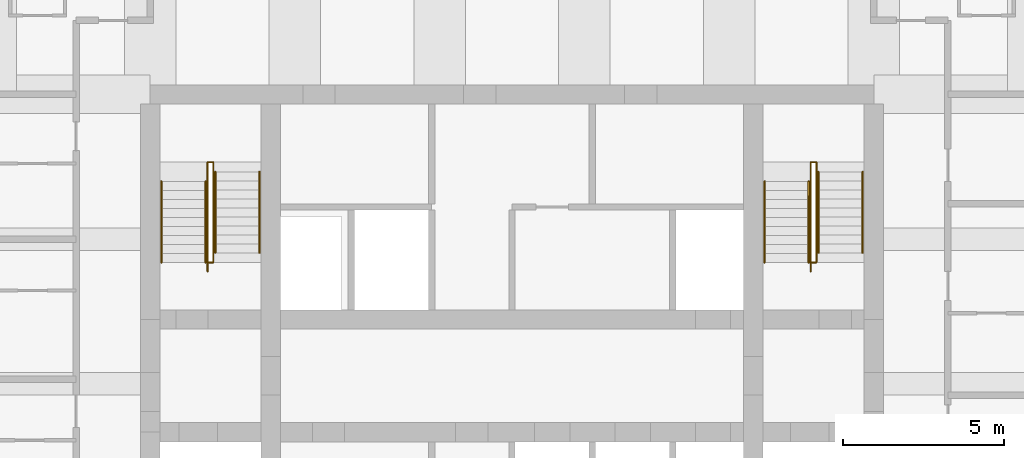
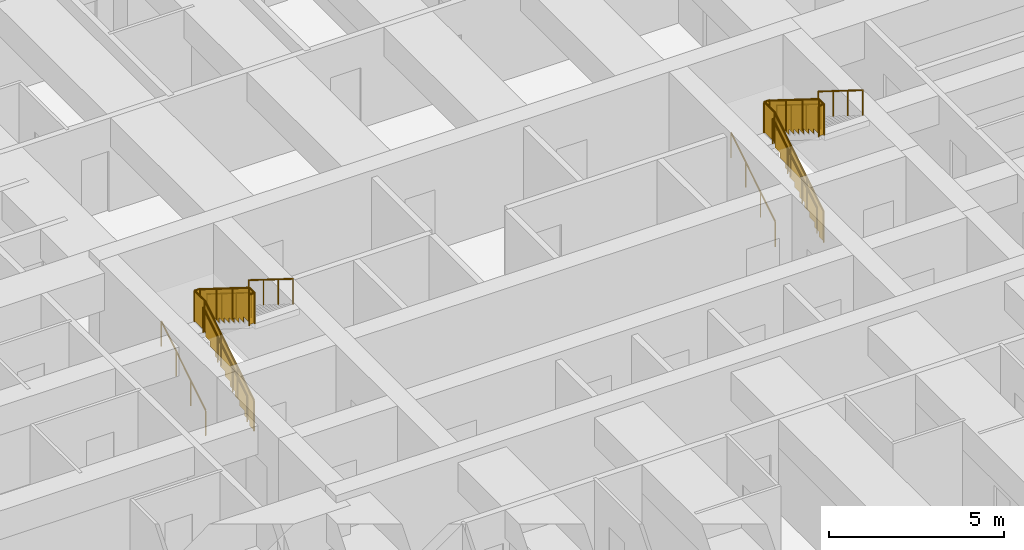
# One storey, part 8 of 8: 12 railings.
"""IFC4 building model written with IfcOpenShell, lengths in metres."""

from ifc_helpers import new_model, si_unit, direction, frame, origin, origin_2d, place, context, subcontext, project, spatial, polyline, circle, outline, extrude, material, type_object, element, save


model = new_model("IFC4")

# Units and contexts
model_context = context("Model", 3, precision=1e-05, world=origin(), true_north=direction((0.0, 1.0)))
body_context = subcontext(model_context, "Body", "Model", "MODEL_VIEW")
ifc_project = project(units=[si_unit("LENGTHUNIT", "METRE"), si_unit("AREAUNIT", "SQUARE_METRE"), si_unit("VOLUMEUNIT", "CUBIC_METRE"), si_unit("PLANEANGLEUNIT", "RADIAN"), si_unit("MASSUNIT", "GRAM", prefix="KILO")], contexts=[model_context])

# Site, building, storey
site_placement = place(None, origin())
site = spatial("IfcSite", under=ifc_project, at=site_placement, CompositionType="ELEMENT")
building_placement = place(site_placement, origin())
building = spatial("IfcBuilding", under=site, at=building_placement, Name="Kilele Tower Hotel", CompositionType="ELEMENT")
storey_placement = place(building_placement, frame((0.0, 0.0, 114.39990234375)))
storey = spatial("IfcBuildingStorey", under=building, at=storey_placement, Name="L29", CompositionType="ELEMENT", Elevation=114.39990234375)

# Railings
ifc_material_1 = material(Name="Steel handrail", Category="steel")
railing_type_1 = type_object("IfcRailingType", Name="Handrail 900", PredefinedType="HANDRAIL", material=ifc_material_1)
for number, where, name in (
    (1, (13.85009765625, 21.77490234375, 0.175048828125), "Handrail ST1 flight 1"),
    (2, (15.22509765625, 21.77490234375, 0.175048828125), "Handrail ST1 flight 1"),
):
    element("IfcRailing", number, at=place(storey_placement, frame(where)), inside=storey, type_object=railing_type_1, Name=name, PredefinedType="HANDRAIL", context=body_context, shape_type="SweptSolid", body=[
        extrude(circle(Radius=0.02490234375, at=origin_2d()), frame((0.0, 0.0, 0.875), z_axis=(0.0, 0.848007534815, 0.529984170421), x_axis=(-1.0, 0.0, 0.0)), (0.0, 0.0, 1.0), 2.9716796875),
        extrude(circle(Radius=0.02001953125, at=origin_2d()), origin(), (0.0, 0.0, 1.0), 0.849853515625),
        extrude(circle(Radius=0.02001953125, at=origin_2d()), frame((0.0, 0.840087890625, 0.52490234375)), (0.0, 0.0, 1.0), 0.849853515625),
        extrude(circle(Radius=0.02001953125, at=origin_2d()), frame((0.0, 1.679931640625, 1.050048828125)), (0.0, 0.0, 1.0), 0.849853515625),
        extrude(circle(Radius=0.02001953125, at=origin_2d()), frame((0.0, 2.52001953125, 1.574951171875)), (0.0, 0.0, 1.0), 0.849853515625),
    ])
for number, where, name in (
    (3, (15.52490234375, 24.594970703125, 1.925048828125), "Handrail ST1 flight 2"),
    (4, (16.89990234375, 24.594970703125, 1.925048828125), "Handrail ST1 flight 2"),
):
    element("IfcRailing", number, at=place(storey_placement, frame(where)), inside=storey, type_object=railing_type_1, Name=name, PredefinedType="HANDRAIL", context=body_context, shape_type="SweptSolid", body=[
        extrude(circle(Radius=0.02490234375, at=origin_2d()), frame((0.0, 0.0, 0.875), z_axis=(0.0, -0.848007534815, 0.529984170421), x_axis=(1.0, 0.0, 0.0)), (0.0, 0.0, 1.0), 2.9716796875),
        extrude(circle(Radius=0.02001953125, at=origin_2d()), origin(), (0.0, 0.0, 1.0), 0.849853515625),
        extrude(circle(Radius=0.02001953125, at=origin_2d()), frame((0.0, -0.840087890625, 0.52490234375)), (0.0, 0.0, 1.0), 0.849853515625),
        extrude(circle(Radius=0.02001953125, at=origin_2d()), frame((0.0, -1.679931640625, 1.050048828125)), (0.0, 0.0, 1.0), 0.849853515625),
        extrude(circle(Radius=0.02001953125, at=origin_2d()), frame((0.0, -2.52001953125, 1.574951171875)), (0.0, 0.0, 1.0), 0.849853515625),
    ])
for number, where, name in (
    (5, (32.60009765625, 21.77490234375, 0.175048828125), "Handrail ST2 flight 1"),
    (6, (33.97509765625, 21.77490234375, 0.175048828125), "Handrail ST2 flight 1"),
):
    element("IfcRailing", number, at=place(storey_placement, frame(where)), inside=storey, type_object=railing_type_1, Name=name, PredefinedType="HANDRAIL", context=body_context, shape_type="SweptSolid", body=[
        extrude(circle(Radius=0.02490234375, at=origin_2d()), frame((0.0, 0.0, 0.875), z_axis=(0.0, 0.848007534815, 0.529984170421), x_axis=(-1.0, 0.0, 0.0)), (0.0, 0.0, 1.0), 2.9716796875),
        extrude(circle(Radius=0.02001953125, at=origin_2d()), origin(), (0.0, 0.0, 1.0), 0.849853515625),
        extrude(circle(Radius=0.02001953125, at=origin_2d()), frame((0.0, 0.840087890625, 0.52490234375)), (0.0, 0.0, 1.0), 0.849853515625),
        extrude(circle(Radius=0.02001953125, at=origin_2d()), frame((0.0, 1.679931640625, 1.050048828125)), (0.0, 0.0, 1.0), 0.849853515625),
        extrude(circle(Radius=0.02001953125, at=origin_2d()), frame((0.0, 2.52001953125, 1.574951171875)), (0.0, 0.0, 1.0), 0.849853515625),
    ])
for number, where, name in (
    (7, (34.27490234375, 24.594970703125, 1.925048828125), "Handrail ST2 flight 2"),
    (8, (35.64990234375, 24.594970703125, 1.925048828125), "Handrail ST2 flight 2"),
):
    element("IfcRailing", number, at=place(storey_placement, frame(where)), inside=storey, type_object=railing_type_1, Name=name, PredefinedType="HANDRAIL", context=body_context, shape_type="SweptSolid", body=[
        extrude(circle(Radius=0.02490234375, at=origin_2d()), frame((0.0, 0.0, 0.875), z_axis=(0.0, -0.848007534815, 0.529984170421), x_axis=(1.0, 0.0, 0.0)), (0.0, 0.0, 1.0), 2.9716796875),
        extrude(circle(Radius=0.02001953125, at=origin_2d()), origin(), (0.0, 0.0, 1.0), 0.849853515625),
        extrude(circle(Radius=0.02001953125, at=origin_2d()), frame((0.0, -0.840087890625, 0.52490234375)), (0.0, 0.0, 1.0), 0.849853515625),
        extrude(circle(Radius=0.02001953125, at=origin_2d()), frame((0.0, -1.679931640625, 1.050048828125)), (0.0, 0.0, 1.0), 0.849853515625),
        extrude(circle(Radius=0.02001953125, at=origin_2d()), frame((0.0, -2.52001953125, 1.574951171875)), (0.0, 0.0, 1.0), 0.849853515625),
    ])
ifc_material_2 = material(Name="Steel guard", Category="steel")
railing_type_2 = type_object("IfcRailingType", Name="Stair guard 1100", PredefinedType="GUARDRAIL", material=ifc_material_2)
railing_1_placement = place(storey_placement, frame((15.284912109375, 21.4951171875, 0.0)))
element("IfcRailing", 9, at=railing_1_placement, inside=storey, type_object=railing_type_2, Name="Stair well guard ST1 flight 1", PredefinedType="GUARDRAIL", context=body_context, shape_type="SweptSolid", body=[
    extrude(circle(Radius=0.02490234375, at=origin_2d()), frame((0.0, 0.0, 1.0751953125), z_axis=(0.0, 0.847981687118, 0.530025526095), x_axis=(-1.0, 0.0, 0.0)), (0.0, 0.0, 1.0), 3.3017578125),
    extrude(circle(Radius=0.02490234375, at=origin_2d()), frame((0.0, 2.7998046875, 2.8251953125), z_axis=(0.0, 1.0, 0.0), x_axis=(-1.0, 0.0, 0.0)), (0.0, 0.0, 1.0), 0.60009765625),
    extrude(circle(Radius=0.02490234375, at=origin_2d()), frame((0.0, 3.39990234375, 2.8251953125), z_axis=(1.0, 0.0, 0.0), x_axis=(0.0, 1.0, 0.0)), (0.0, 0.0, 1.0), 0.18017578125),
    extrude(circle(Radius=0.02490234375, at=origin_2d()), origin(), (0.0, 0.0, 1.0), 1.050048828125),
    extrude(circle(Radius=0.02490234375, at=origin_2d()), frame((0.0, 0.933349609375, 0.583251953125)), (0.0, 0.0, 1.0), 1.050048828125),
    extrude(circle(Radius=0.02490234375, at=origin_2d()), frame((0.0, 1.866455078125, 1.166748046875)), (0.0, 0.0, 1.0), 1.050048828125),
    extrude(circle(Radius=0.02490234375, at=origin_2d()), frame((0.0, 2.7998046875, 1.75)), (0.0, 0.0, 1.0), 1.050048828125),
    extrude(circle(Radius=0.02490234375, at=origin_2d()), frame((0.0, 3.39990234375, 1.75)), (0.0, 0.0, 1.0), 1.050048828125),
    extrude(circle(Radius=0.02490234375, at=origin_2d()), frame((0.18017578125, 3.39990234375, 1.75)), (0.0, 0.0, 1.0), 1.050048828125),
    extrude(outline(polyline([(0.012451171875, 0.030029296875), (0.25, 0.030029296875), (0.25, 0.205078125), (0.530029296875, 0.205078125), (0.530029296875, 0.380126953125), (0.809814453125, 0.380126953125), (0.809814453125, 0.554931640625), (1.08984375, 0.554931640625), (1.08984375, 0.72998046875), (1.369873046875, 0.72998046875), (1.369873046875, 0.905029296875), (1.64990234375, 0.905029296875), (1.64990234375, 1.080078125), (1.929931640625, 1.080078125), (1.929931640625, 1.255126953125), (2.209716796875, 1.255126953125), (2.209716796875, 1.429931640625), (2.48974609375, 1.429931640625), (2.48974609375, 1.60498046875), (2.769775390625, 1.60498046875), (2.769775390625, 1.780029296875), (2.787353515625, 1.780029296875), (2.787353515625, 2.787841796875), (0.012451171875, 1.053466796875), (0.012451171875, 0.030029296875)])), frame((-0.005859375, 0.0, 0.0), z_axis=(1.0, 0.0, 0.0), x_axis=(0.0, 1.0, 0.0)), (0.0, 0.0, 1.0), 0.011962890625),
    extrude(outline(polyline([(0.012451171875, 0.030029296875), (0.587646484375, 0.030029296875), (0.587646484375, 1.050048828125), (0.012451171875, 1.050048828125), (0.012451171875, 0.030029296875)])), frame((-0.005859375, 2.7998046875, 1.75), z_axis=(1.0, 0.0, 0.0), x_axis=(0.0, 1.0, 0.0)), (0.0, 0.0, 1.0), 0.011962890625),
    extrude(outline(polyline([(0.012451171875, 0.030029296875), (0.18017578125, 0.030029296875), (0.18017578125, 1.050048828125), (0.012451171875, 1.050048828125), (0.012451171875, 0.030029296875)])), frame((0.0, 3.40576171875, 1.75), z_axis=(0.0, -1.0, 0.0), x_axis=(1.0, 0.0, 0.0)), (0.0, 0.0, 1.0), 0.011962890625),
])
railing_2_placement = place(storey_placement, frame((15.465087890625, 24.89501953125, 1.75)))
element("IfcRailing", 10, at=railing_2_placement, inside=storey, type_object=railing_type_2, Name="Stair well guard ST1 flight 2", PredefinedType="GUARDRAIL", context=body_context, shape_type="SweptSolid", body=[
    extrude(circle(Radius=0.02490234375, at=origin_2d()), frame((0.0, 0.0, 1.0751953125), z_axis=(0.0, -1.0, 0.0), x_axis=(1.0, 0.0, 0.0)), (0.0, 0.0, 1.0), 0.02001953125),
    extrude(circle(Radius=0.02490234375, at=origin_2d()), frame((0.0, -0.02001953125, 1.0751953125), z_axis=(0.0, -0.848002457836, 0.529992293815), x_axis=(1.0, 0.0, 0.0)), (0.0, 0.0, 1.0), 3.302001953125),
    extrude(circle(Radius=0.02490234375, at=origin_2d()), frame((0.0, -2.820068359375, 2.8251953125), z_axis=(0.0, -1.0, 0.0), x_axis=(1.0, 0.0, 0.0)), (0.0, 0.0, 1.0), 0.300048828125),
    extrude(circle(Radius=0.02490234375, at=origin_2d()), frame((0.0, -3.1201171875, 2.8251953125), z_axis=(-1.0, 0.0, 0.0), x_axis=(0.0, -1.0, 0.0)), (0.0, 0.0, 1.0), 0.18017578125),
    extrude(circle(Radius=0.02490234375, at=origin_2d()), origin(), (0.0, 0.0, 1.0), 1.050048828125),
    extrude(circle(Radius=0.02490234375, at=origin_2d()), frame((0.0, -0.02001953125, 0.0)), (0.0, 0.0, 1.0), 1.050048828125),
    extrude(circle(Radius=0.02490234375, at=origin_2d()), frame((0.0, -0.953369140625, 0.583251953125)), (0.0, 0.0, 1.0), 1.050048828125),
    extrude(circle(Radius=0.02490234375, at=origin_2d()), frame((0.0, -1.88671875, 1.166748046875)), (0.0, 0.0, 1.0), 1.050048828125),
    extrude(circle(Radius=0.02490234375, at=origin_2d()), frame((0.0, -2.820068359375, 1.75)), (0.0, 0.0, 1.0), 1.050048828125),
    extrude(circle(Radius=0.02490234375, at=origin_2d()), frame((0.0, -3.1201171875, 1.75)), (0.0, 0.0, 1.0), 1.050048828125),
    extrude(circle(Radius=0.02490234375, at=origin_2d()), frame((-0.18017578125, -3.1201171875, 1.75)), (0.0, 0.0, 1.0), 1.050048828125),
    extrude(outline(polyline([(0.012451171875, 0.030029296875), (0.25, 0.030029296875), (0.25, 0.205078125), (0.530029296875, 0.205078125), (0.530029296875, 0.380126953125), (0.81005859375, 0.380126953125), (0.81005859375, 0.554931640625), (1.090087890625, 0.554931640625), (1.090087890625, 0.72998046875), (1.3701171875, 0.72998046875), (1.3701171875, 0.905029296875), (1.64990234375, 0.905029296875), (1.64990234375, 1.080078125), (1.929931640625, 1.080078125), (1.929931640625, 1.255126953125), (2.2099609375, 1.255126953125), (2.2099609375, 1.429931640625), (2.489990234375, 1.429931640625), (2.489990234375, 1.60498046875), (2.77001953125, 1.60498046875), (2.77001953125, 1.780029296875), (2.78759765625, 1.780029296875), (2.78759765625, 2.787841796875), (0.012451171875, 1.053466796875), (0.012451171875, 0.030029296875)])), frame((0.005859375, -0.02001953125, 0.0), z_axis=(-1.0, 0.0, 0.0), x_axis=(0.0, -1.0, 0.0)), (0.0, 0.0, 1.0), 0.011962890625),
    extrude(outline(polyline([(0.012451171875, 0.030029296875), (0.28759765625, 0.030029296875), (0.28759765625, 1.050048828125), (0.012451171875, 1.050048828125), (0.012451171875, 0.030029296875)])), frame((0.005859375, -2.820068359375, 1.75), z_axis=(-1.0, 0.0, 0.0), x_axis=(0.0, -1.0, 0.0)), (0.0, 0.0, 1.0), 0.011962890625),
    extrude(outline(polyline([(0.012451171875, 0.030029296875), (0.18017578125, 0.030029296875), (0.18017578125, 1.050048828125), (0.012451171875, 1.050048828125), (0.012451171875, 0.030029296875)])), frame((0.0, -3.1259765625, 1.75), z_axis=(0.0, 1.0, 0.0), x_axis=(-1.0, 0.0, 0.0)), (0.0, 0.0, 1.0), 0.011962890625),
])
railing_3_placement = place(storey_placement, frame((34.034912109375, 21.4951171875, 0.0)))
element("IfcRailing", 11, at=railing_3_placement, inside=storey, type_object=railing_type_2, Name="Stair well guard ST2 flight 1", PredefinedType="GUARDRAIL", context=body_context, shape_type="SweptSolid", body=[
    extrude(circle(Radius=0.02490234375, at=origin_2d()), frame((0.0, 0.0, 1.0751953125), z_axis=(0.0, 0.847981687118, 0.530025526095), x_axis=(-1.0, 0.0, 0.0)), (0.0, 0.0, 1.0), 3.3017578125),
    extrude(circle(Radius=0.02490234375, at=origin_2d()), frame((0.0, 2.7998046875, 2.8251953125), z_axis=(0.0, 1.0, 0.0), x_axis=(-1.0, 0.0, 0.0)), (0.0, 0.0, 1.0), 0.60009765625),
    extrude(circle(Radius=0.02490234375, at=origin_2d()), frame((0.0, 3.39990234375, 2.8251953125), z_axis=(1.0, 0.0, 0.0), x_axis=(0.0, 1.0, 0.0)), (0.0, 0.0, 1.0), 0.18017578125),
    extrude(circle(Radius=0.02490234375, at=origin_2d()), origin(), (0.0, 0.0, 1.0), 1.050048828125),
    extrude(circle(Radius=0.02490234375, at=origin_2d()), frame((0.0, 0.933349609375, 0.583251953125)), (0.0, 0.0, 1.0), 1.050048828125),
    extrude(circle(Radius=0.02490234375, at=origin_2d()), frame((0.0, 1.866455078125, 1.166748046875)), (0.0, 0.0, 1.0), 1.050048828125),
    extrude(circle(Radius=0.02490234375, at=origin_2d()), frame((0.0, 2.7998046875, 1.75)), (0.0, 0.0, 1.0), 1.050048828125),
    extrude(circle(Radius=0.02490234375, at=origin_2d()), frame((0.0, 3.39990234375, 1.75)), (0.0, 0.0, 1.0), 1.050048828125),
    extrude(circle(Radius=0.02490234375, at=origin_2d()), frame((0.18017578125, 3.39990234375, 1.75)), (0.0, 0.0, 1.0), 1.050048828125),
    extrude(outline(polyline([(0.012451171875, 0.030029296875), (0.25, 0.030029296875), (0.25, 0.205078125), (0.530029296875, 0.205078125), (0.530029296875, 0.380126953125), (0.809814453125, 0.380126953125), (0.809814453125, 0.554931640625), (1.08984375, 0.554931640625), (1.08984375, 0.72998046875), (1.369873046875, 0.72998046875), (1.369873046875, 0.905029296875), (1.64990234375, 0.905029296875), (1.64990234375, 1.080078125), (1.929931640625, 1.080078125), (1.929931640625, 1.255126953125), (2.209716796875, 1.255126953125), (2.209716796875, 1.429931640625), (2.48974609375, 1.429931640625), (2.48974609375, 1.60498046875), (2.769775390625, 1.60498046875), (2.769775390625, 1.780029296875), (2.787353515625, 1.780029296875), (2.787353515625, 2.787841796875), (0.012451171875, 1.053466796875), (0.012451171875, 0.030029296875)])), frame((-0.005859375, 0.0, 0.0), z_axis=(1.0, 0.0, 0.0), x_axis=(0.0, 1.0, 0.0)), (0.0, 0.0, 1.0), 0.011962890625),
    extrude(outline(polyline([(0.012451171875, 0.030029296875), (0.587646484375, 0.030029296875), (0.587646484375, 1.050048828125), (0.012451171875, 1.050048828125), (0.012451171875, 0.030029296875)])), frame((-0.005859375, 2.7998046875, 1.75), z_axis=(1.0, 0.0, 0.0), x_axis=(0.0, 1.0, 0.0)), (0.0, 0.0, 1.0), 0.011962890625),
    extrude(outline(polyline([(0.012451171875, 0.030029296875), (0.18017578125, 0.030029296875), (0.18017578125, 1.050048828125), (0.012451171875, 1.050048828125), (0.012451171875, 0.030029296875)])), frame((0.0, 3.40576171875, 1.75), z_axis=(0.0, -1.0, 0.0), x_axis=(1.0, 0.0, 0.0)), (0.0, 0.0, 1.0), 0.011962890625),
])
railing_4_placement = place(storey_placement, frame((34.215087890625, 24.89501953125, 1.75)))
element("IfcRailing", 12, at=railing_4_placement, inside=storey, type_object=railing_type_2, Name="Stair well guard ST2 flight 2", PredefinedType="GUARDRAIL", context=body_context, shape_type="SweptSolid", body=[
    extrude(circle(Radius=0.02490234375, at=origin_2d()), frame((0.0, 0.0, 1.0751953125), z_axis=(0.0, -1.0, 0.0), x_axis=(1.0, 0.0, 0.0)), (0.0, 0.0, 1.0), 0.02001953125),
    extrude(circle(Radius=0.02490234375, at=origin_2d()), frame((0.0, -0.02001953125, 1.0751953125), z_axis=(0.0, -0.848002457836, 0.529992293815), x_axis=(1.0, 0.0, 0.0)), (0.0, 0.0, 1.0), 3.302001953125),
    extrude(circle(Radius=0.02490234375, at=origin_2d()), frame((0.0, -2.820068359375, 2.8251953125), z_axis=(0.0, -1.0, 0.0), x_axis=(1.0, 0.0, 0.0)), (0.0, 0.0, 1.0), 0.300048828125),
    extrude(circle(Radius=0.02490234375, at=origin_2d()), frame((0.0, -3.1201171875, 2.8251953125), z_axis=(-1.0, 0.0, 0.0), x_axis=(0.0, -1.0, 0.0)), (0.0, 0.0, 1.0), 0.18017578125),
    extrude(circle(Radius=0.02490234375, at=origin_2d()), origin(), (0.0, 0.0, 1.0), 1.050048828125),
    extrude(circle(Radius=0.02490234375, at=origin_2d()), frame((0.0, -0.02001953125, 0.0)), (0.0, 0.0, 1.0), 1.050048828125),
    extrude(circle(Radius=0.02490234375, at=origin_2d()), frame((0.0, -0.953369140625, 0.583251953125)), (0.0, 0.0, 1.0), 1.050048828125),
    extrude(circle(Radius=0.02490234375, at=origin_2d()), frame((0.0, -1.88671875, 1.166748046875)), (0.0, 0.0, 1.0), 1.050048828125),
    extrude(circle(Radius=0.02490234375, at=origin_2d()), frame((0.0, -2.820068359375, 1.75)), (0.0, 0.0, 1.0), 1.050048828125),
    extrude(circle(Radius=0.02490234375, at=origin_2d()), frame((0.0, -3.1201171875, 1.75)), (0.0, 0.0, 1.0), 1.050048828125),
    extrude(circle(Radius=0.02490234375, at=origin_2d()), frame((-0.18017578125, -3.1201171875, 1.75)), (0.0, 0.0, 1.0), 1.050048828125),
    extrude(outline(polyline([(0.012451171875, 0.030029296875), (0.25, 0.030029296875), (0.25, 0.205078125), (0.530029296875, 0.205078125), (0.530029296875, 0.380126953125), (0.81005859375, 0.380126953125), (0.81005859375, 0.554931640625), (1.090087890625, 0.554931640625), (1.090087890625, 0.72998046875), (1.3701171875, 0.72998046875), (1.3701171875, 0.905029296875), (1.64990234375, 0.905029296875), (1.64990234375, 1.080078125), (1.929931640625, 1.080078125), (1.929931640625, 1.255126953125), (2.2099609375, 1.255126953125), (2.2099609375, 1.429931640625), (2.489990234375, 1.429931640625), (2.489990234375, 1.60498046875), (2.77001953125, 1.60498046875), (2.77001953125, 1.780029296875), (2.78759765625, 1.780029296875), (2.78759765625, 2.787841796875), (0.012451171875, 1.053466796875), (0.012451171875, 0.030029296875)])), frame((0.005859375, -0.02001953125, 0.0), z_axis=(-1.0, 0.0, 0.0), x_axis=(0.0, -1.0, 0.0)), (0.0, 0.0, 1.0), 0.011962890625),
    extrude(outline(polyline([(0.012451171875, 0.030029296875), (0.28759765625, 0.030029296875), (0.28759765625, 1.050048828125), (0.012451171875, 1.050048828125), (0.012451171875, 0.030029296875)])), frame((0.005859375, -2.820068359375, 1.75), z_axis=(-1.0, 0.0, 0.0), x_axis=(0.0, -1.0, 0.0)), (0.0, 0.0, 1.0), 0.011962890625),
    extrude(outline(polyline([(0.012451171875, 0.030029296875), (0.18017578125, 0.030029296875), (0.18017578125, 1.050048828125), (0.012451171875, 1.050048828125), (0.012451171875, 0.030029296875)])), frame((0.0, -3.1259765625, 1.75), z_axis=(0.0, 1.0, 0.0), x_axis=(-1.0, 0.0, 0.0)), (0.0, 0.0, 1.0), 0.011962890625),
])

save(model, "model.ifc")
